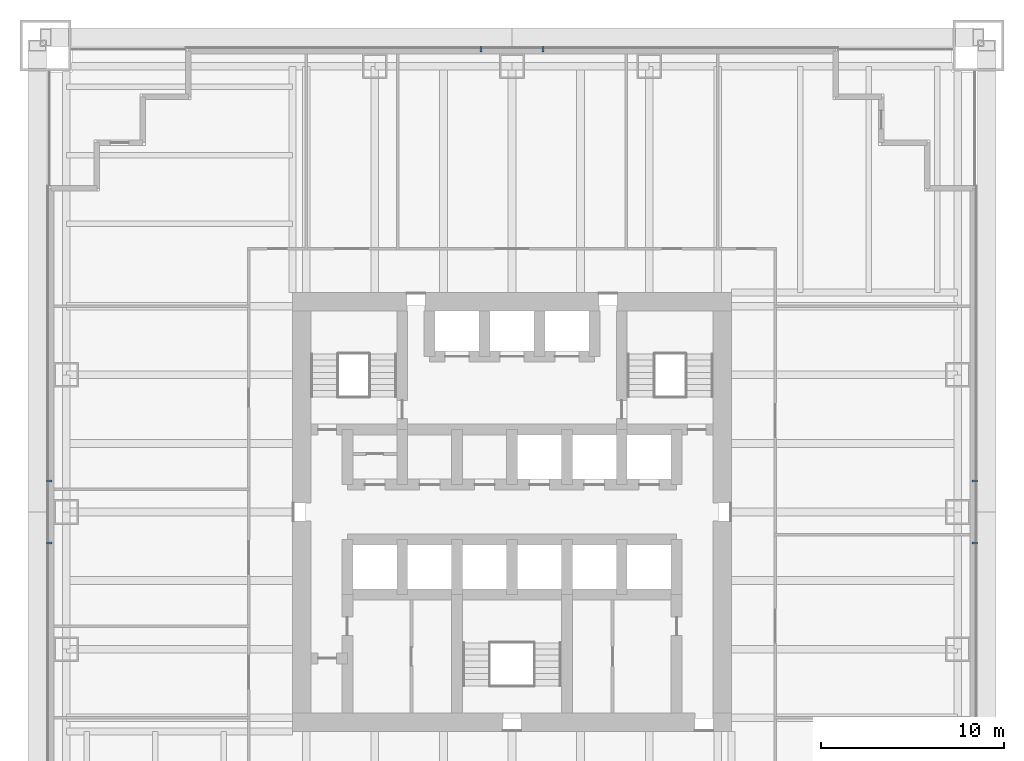
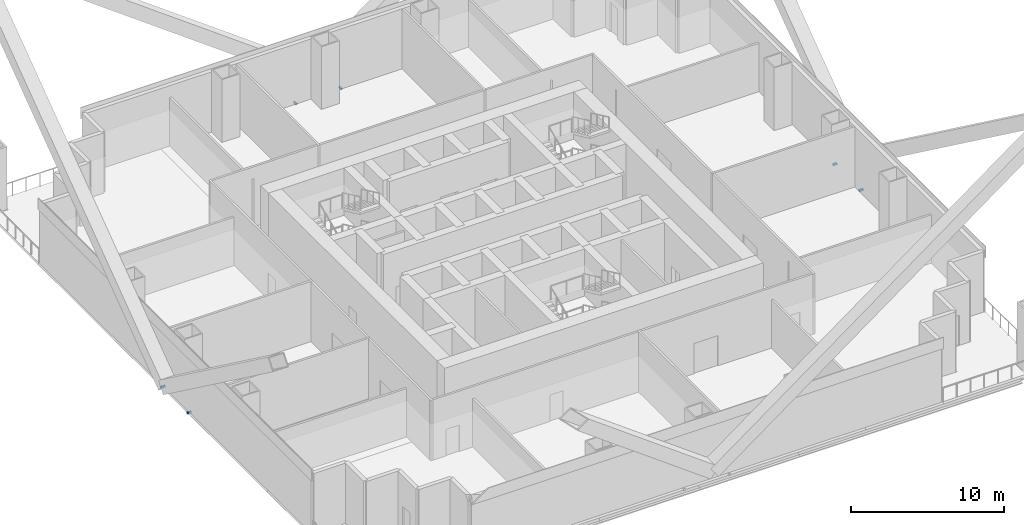
# One storey, part 5 of 7: 6 discrete accessories.
"""IFC4 building model written with IfcOpenShell, lengths in metres."""

from ifc_helpers import new_model, si_unit, direction, frame, origin, origin_2d, place, context, subcontext, project, spatial, rectangle, extrude, material, type_object, element, save


model = new_model("IFC4")

# Units and contexts
model_context = context("Model", 3, precision=1e-05, world=origin(), true_north=direction((0.0, 1.0)))
body_context = subcontext(model_context, "Body", "Model", "MODEL_VIEW")
ifc_project = project(units=[si_unit("LENGTHUNIT", "METRE"), si_unit("AREAUNIT", "SQUARE_METRE"), si_unit("VOLUMEUNIT", "CUBIC_METRE"), si_unit("PLANEANGLEUNIT", "RADIAN"), si_unit("MASSUNIT", "GRAM", prefix="KILO")], contexts=[model_context])

# Site, building, storey
site_placement = place(None, origin())
site = spatial("IfcSite", under=ifc_project, at=site_placement, CompositionType="ELEMENT")
building_placement = place(site_placement, origin())
building = spatial("IfcBuilding", under=site, at=building_placement, Name="Tarangal Relay Tower", CompositionType="ELEMENT")
storey_placement = place(building_placement, frame((0.0, 0.0, 78.39990234375)))
storey = spatial("IfcBuildingStorey", under=building, at=storey_placement, Name="L15", CompositionType="ELEMENT", Elevation=78.39990234375)

# Discrete accessories
ifc_material = material(Name="Steel ASTM A572 Grade 50", Category="steel")
discrete_accessory_type = type_object("IfcDiscreteAccessoryType", Name="Brace crossing restraint BRT1", PredefinedType="BRACKET", material=ifc_material)
for number, where, z_axis, x_axis, name in (
    (1, (-1.699951171875, 25.300048828125, -0.1748046875), (0.0, 0.0, 1.0), (1.0, 0.0, 0.0), "Brace crossing restraint BRT1 N L15"),
    (2, (1.699951171875, 25.300048828125, -0.1748046875), (0.0, 0.0, 1.0), (1.0, 0.0, 0.0), "Brace crossing restraint BRT1 N L15"),
):
    element("IfcDiscreteAccessory", number, at=place(storey_placement, frame(where, z_axis=z_axis, x_axis=x_axis)), inside=storey, type_object=discrete_accessory_type, Name=name, PredefinedType="BRACKET", context=body_context, shape_type="SweptSolid", body=[
        extrude(rectangle(XDim=0.1201171875, YDim=0.300048828125, at=origin_2d()), origin(), (0.0, 0.0, 1.0), 0.14990234375),
    ])
for number, where, z_axis, x_axis, name in (
    (3, (25.300048828125, 1.699951171875, -0.1748046875), (0.0, 0.0, 1.0), (1.0, 0.0, 0.0), "Brace crossing restraint BRT1 E L15"),
    (4, (25.300048828125, -1.699951171875, -0.1748046875), (0.0, 0.0, 1.0), (1.0, 0.0, 0.0), "Brace crossing restraint BRT1 E L15"),
    (5, (-25.300048828125, -1.699951171875, -0.1748046875), (0.0, 0.0, 1.0), (1.0, 0.0, 0.0), "Brace crossing restraint BRT1 W L15"),
    (6, (-25.300048828125, 1.699951171875, -0.1748046875), (0.0, 0.0, 1.0), (1.0, 0.0, 0.0), "Brace crossing restraint BRT1 W L15"),
):
    element("IfcDiscreteAccessory", number, at=place(storey_placement, frame(where, z_axis=z_axis, x_axis=x_axis)), inside=storey, type_object=discrete_accessory_type, Name=name, PredefinedType="BRACKET", context=body_context, shape_type="SweptSolid", body=[
        extrude(rectangle(XDim=0.300048828125, YDim=0.1201171875, at=origin_2d()), origin(), (0.0, 0.0, 1.0), 0.14990234375),
    ])

save(model, "model.ifc")
